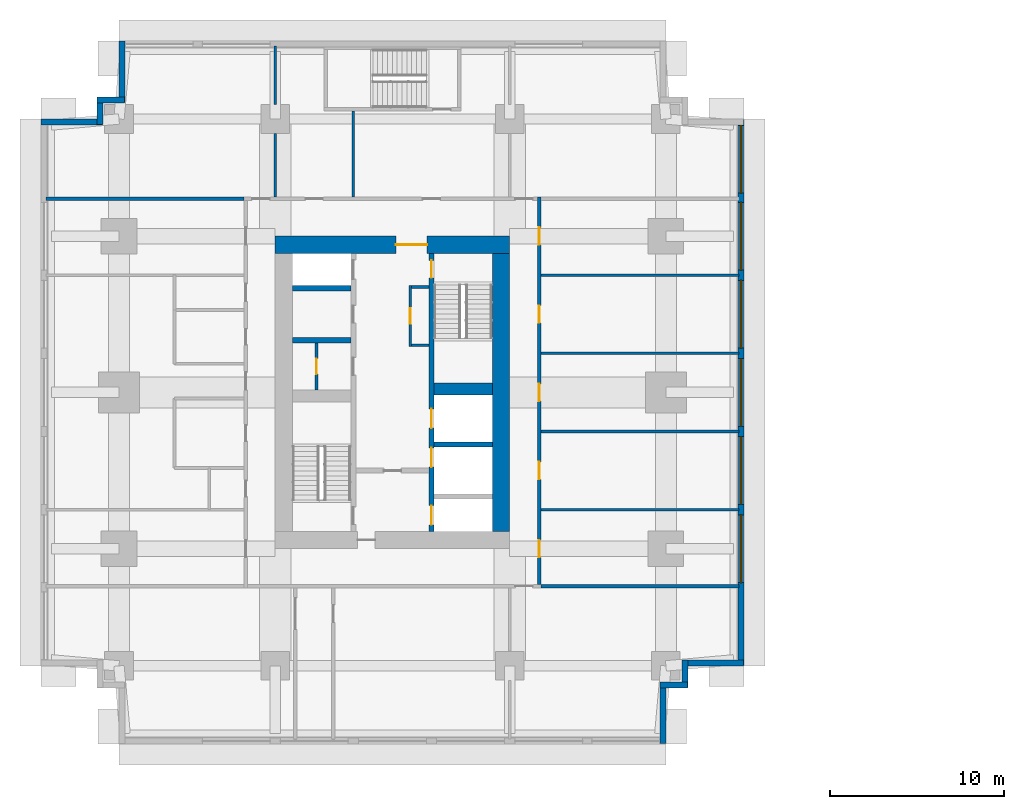
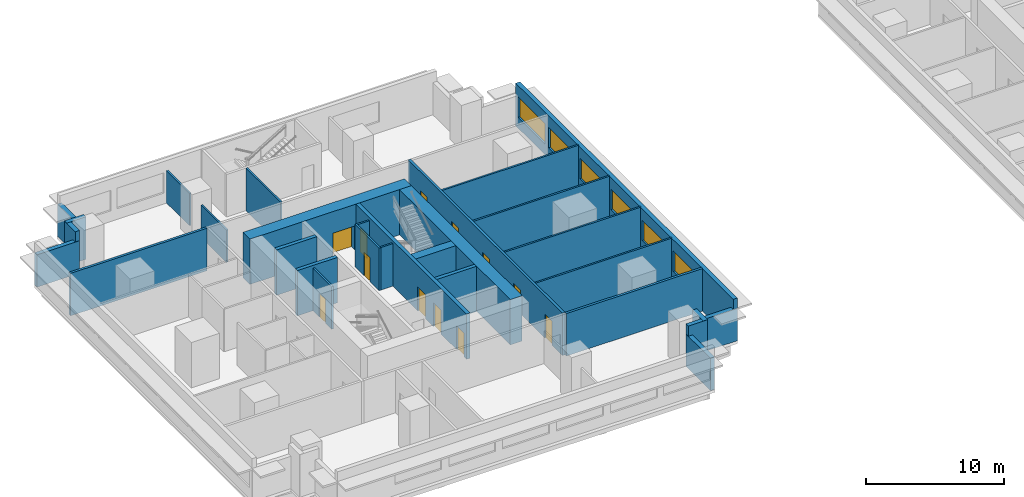
# One storey, part 4 of 11: 30 walls, 12 doors, 6 windows, 18 openings.
"""IFC4 building model written with IfcOpenShell, lengths in metres."""

import ifcopenshell
import ifcopenshell.guid

model = None  # the IFC model being written
_history = None  # IfcOwnerHistory: only IFC2X3 demands one
_inside = {}  # id of a spatial element -> (the spatial element, [elements in it])
_under = {}  # id of a project, library or spatial element -> (it, [spatial elements below it])
_declared = {}  # id of a project -> (the project, [libraries it declares])
_typed = {}  # id of a type object -> (the type object, [elements of that type])
_made_of = {}  # id of a material, layer set ... -> (it, [elements and type objects made of it])


def new_model(schema):
    """Start an empty IFC model of exactly this schema.

    Asked for "IFC4X3", IfcOpenShell would pick the latest addendum, in which some entities
    have other attributes; the version numbers below select the first issue.
    IFC2X3 requires an IfcOwnerHistory on every rooted entity: one is made here for all.
    """
    global model, _history
    if schema == "IFC4X3":
        model = ifcopenshell.file(schema_version=(4, 3, 0, 0))
    else:
        model = ifcopenshell.file(schema=schema)
    _inside.clear()
    _under.clear()
    _declared.clear()
    _typed.clear()
    _made_of.clear()
    _history = None
    if model.schema == "IFC2X3":
        org = make("IfcOrganization", Name="unknown")
        user = make(
            "IfcPersonAndOrganization",
            ThePerson=make("IfcPerson", FamilyName="unknown"),
            TheOrganization=org,
        )
        app = make(
            "IfcApplication",
            ApplicationDeveloper=org,
            Version="unknown",
            ApplicationFullName="unknown",
            ApplicationIdentifier="unknown",
        )
        _history = make(
            "IfcOwnerHistory",
            OwningUser=user,
            OwningApplication=app,
            ChangeAction="ADDED",
            CreationDate=0,
        )
    return model


def make(cls, **values):
    """One entity of the class cls with the attributes given. An attribute that is None is left unset."""
    return model.create_entity(
        cls, **{name: value for name, value in values.items() if value is not None}
    )


def rooted(cls, **values):
    """An entity with a GlobalId (a new one), such as an element, a storey or a relation."""
    return make(cls, GlobalId=ifcopenshell.guid.new(), OwnerHistory=_history, **values)


def si_unit(unit_type, name, prefix=None):
    """IfcSIUnit, for example si_unit("LENGTHUNIT", "METRE", prefix="MILLI")."""
    return make("IfcSIUnit", UnitType=unit_type, Prefix=prefix, Name=name)


def assignment(units):
    """IfcUnitAssignment: the units of a project."""
    return None if units is None else make("IfcUnitAssignment", Units=units)


def point(xyz):
    """IfcCartesianPoint."""
    return None if xyz is None else make("IfcCartesianPoint", Coordinates=xyz)


def direction(xyz):
    """IfcDirection."""
    return None if xyz is None else make("IfcDirection", DirectionRatios=xyz)


def frame(location, z_axis=None, x_axis=None):
    """IfcAxis2Placement3D, a coordinate frame: its origin and axes. An axis left out is left unset."""
    return make(
        "IfcAxis2Placement3D",
        Location=point(location),
        Axis=direction(z_axis),
        RefDirection=direction(x_axis),
    )


def frame_2d(location, x_axis=None):
    """IfcAxis2Placement2D, a coordinate frame in the plane: its origin and x axis."""
    return make(
        "IfcAxis2Placement2D", Location=point(location), RefDirection=direction(x_axis)
    )


def origin():
    """The frame at (0, 0, 0) with its axes left unset."""
    return frame((0.0, 0.0, 0.0))


def place(relative_to, where):
    """IfcLocalPlacement: puts the frame where relative to a parent placement (None: the world)."""
    return make(
        "IfcLocalPlacement", PlacementRelTo=relative_to, RelativePlacement=where
    )


def context(
    kind, dimensions, precision=None, world=None, true_north=None, identifier=None
):
    """IfcGeometricRepresentationContext, for example the 3D "Model" context."""
    return make(
        "IfcGeometricRepresentationContext",
        ContextIdentifier=identifier,
        ContextType=kind,
        CoordinateSpaceDimension=dimensions,
        Precision=precision,
        WorldCoordinateSystem=world,
        TrueNorth=true_north,
    )


def subcontext(parent, identifier, kind, view, scale=None):
    """IfcGeometricRepresentationSubContext, for example "Body" below "Model"."""
    return make(
        "IfcGeometricRepresentationSubContext",
        ContextIdentifier=identifier,
        ContextType=kind,
        ParentContext=parent,
        TargetScale=scale,
        TargetView=view,
    )


def project(units=None, contexts=None):
    """IfcProject with its units and contexts."""
    return rooted(
        "IfcProject",
        Name="project",
        RepresentationContexts=contexts,
        UnitsInContext=assignment(units),
    )


def spatial(cls, under=None, at=None, **own):
    """A site, building, storey or space (cls), placed at a placement, below another one or the project."""
    s = rooted(cls, ObjectPlacement=at, **own)
    if under is not None:
        _under.setdefault(under.id(), (under, []))[1].append(s)
    return s


def profile(cls, at=None, kind="AREA", **sizes):
    """A parametric profile (cls). Its sizes go by their IFC names, for example OverallWidth=200.0."""
    return make(cls, ProfileType=kind, Position=at, **sizes)


def rectangle(**sizes):
    """IfcRectangleProfileDef."""
    return profile("IfcRectangleProfileDef", **sizes)


def extrude(swept, where, along, depth):
    """IfcExtrudedAreaSolid: the profile swept, set in the frame where, extruded along a direction by depth."""
    return make(
        "IfcExtrudedAreaSolid",
        SweptArea=swept,
        Position=where,
        ExtrudedDirection=direction(along),
        Depth=depth,
    )


def shape(context_of_items, identifier, shape_type, items):
    """IfcShapeRepresentation: the items that make up one representation, for example the "Body"."""
    return make(
        "IfcShapeRepresentation",
        ContextOfItems=context_of_items,
        RepresentationIdentifier=identifier,
        RepresentationType=shape_type,
        Items=items,
    )


def material(Name=None, Category=None):
    """IfcMaterial."""
    return make("IfcMaterial", Name=Name, Category=Category)


def layer(
    of_material, thickness, ventilated=None, Name=None, Category=None, Priority=None
):
    """IfcMaterialLayer: one layer of a wall or slab, of a material (None: an air gap)."""
    return make(
        "IfcMaterialLayer",
        Material=of_material,
        LayerThickness=thickness,
        IsVentilated=ventilated,
        Name=Name,
        Category=Category,
        Priority=Priority,
    )


def layer_set(layers, Name=None):
    """IfcMaterialLayerSet."""
    return make("IfcMaterialLayerSet", MaterialLayers=layers, LayerSetName=Name)


def made_of(thing, what):
    """Note that an element or type object is made of a material, layer set ...; save() writes the relation."""
    if what is not None:
        _made_of.setdefault(what.id(), (what, []))[1].append(thing)
    return thing


def type_object(cls, material=None, **own):
    """A type object (cls), such as IfcWallType, which elements share."""
    return made_of(rooted(cls, **own), material)


def element(
    cls,
    number,
    at=None,
    inside=None,
    cuts=None,
    type_object=None,
    material=None,
    context=None,
    identifier="Body",
    shape_type=None,
    held_by="IfcProductDefinitionShape",
    body=None,
    shapes=None,
    **own,
):
    """One element of the class cls, such as IfcWall. Its Tag is "e" and its number.

    at: its placement. inside: the storey or other place that contains it. cuts: it is an
    opening in that element (IfcRelVoidsElement). A single representation is given by context,
    identifier, shape_type and body (its items); several are given by shapes. held_by: the class
    of the entity that holds the representations. save() writes the other relations.
    """
    e = rooted(cls, Tag="e%d" % number, ObjectPlacement=at, **own)
    if body is not None:
        shapes = [shape(context, identifier, shape_type, body)]
    if shapes is not None:
        e.Representation = make(held_by, Representations=shapes)
    if inside is not None:
        _inside.setdefault(inside.id(), (inside, []))[1].append(e)
    if cuts is not None:
        rooted(
            "IfcRelVoidsElement", RelatingBuildingElement=cuts, RelatedOpeningElement=e
        )
    if type_object is not None:
        _typed.setdefault(type_object.id(), (type_object, []))[1].append(e)
    return made_of(e, material)


def fill(opening, filler):
    """IfcRelFillsElement: the door or window that sits in an opening."""
    return rooted(
        "IfcRelFillsElement",
        RelatingOpeningElement=opening,
        RelatedBuildingElement=filler,
    )


def aggregate(whole, parts):
    """IfcRelAggregates: a whole, such as a stair, and the parts it consists of."""
    return rooted("IfcRelAggregates", RelatingObject=whole, RelatedObjects=parts)


def save(model, path):
    """Write the relations noted so far, then the file.

    IfcRelAggregates (storeys below a building ...), IfcRelContainedInSpatialStructure (elements
    in a storey), IfcRelDefinesByType, IfcRelAssociatesMaterial and IfcRelDeclares: one each for
    every whole, place, type object, material and project.
    """
    for whole, parts in _under.values():
        aggregate(whole, parts)
    for where, things in _inside.values():
        rooted(
            "IfcRelContainedInSpatialStructure",
            RelatedElements=things,
            RelatingStructure=where,
        )
    for kind, things in _typed.values():
        rooted("IfcRelDefinesByType", RelatedObjects=things, RelatingType=kind)
    for what, things in _made_of.values():
        rooted("IfcRelAssociatesMaterial", RelatedObjects=things, RelatingMaterial=what)
    for by, libraries in _declared.values():
        rooted("IfcRelDeclares", RelatingContext=by, RelatedDefinitions=libraries)
    model.write(path)


model = new_model("IFC4")

# Units and contexts
model_context = context("Model", 3, precision=1e-05, world=origin(), true_north=direction((0.0, 1.0)))
body_context = subcontext(model_context, "Body", "Model", "MODEL_VIEW")
ifc_project = project(units=[si_unit("LENGTHUNIT", "METRE"), si_unit("AREAUNIT", "SQUARE_METRE"), si_unit("VOLUMEUNIT", "CUBIC_METRE"), si_unit("PLANEANGLEUNIT", "RADIAN"), si_unit("MASSUNIT", "GRAM", prefix="KILO")], contexts=[model_context])

# Site, building, storey
site_placement = place(None, origin())
site = spatial("IfcSite", under=ifc_project, at=site_placement, CompositionType="ELEMENT")
building_placement = place(site_placement, origin())
building = spatial("IfcBuilding", under=site, at=building_placement, Name="Namib Vertical Campus", CompositionType="ELEMENT")
storey_placement = place(building_placement, frame((0.0, 0.0, 181.0)))
storey = spatial("IfcBuildingStorey", under=building, at=storey_placement, Name="L42", CompositionType="ELEMENT", Elevation=181.0)

# Wall, openings, doors
ifc_material_1 = material(Name="Concrete C60/75", Category="concrete")
ifc_layer_1 = layer(ifc_material_1, 0.300048828125)
ifc_layer_set_1 = layer_set([ifc_layer_1], Name="Concrete C60/75")
wall_type_1 = type_object("IfcWallType", Name="Core inner wall 300", PredefinedType="SHEAR", material=ifc_layer_set_1)
wall_1_placement = place(storey_placement, frame((22.5, 12.25, 0.0), z_axis=(0.0, 0.0, 1.0), x_axis=(0.0, 1.0, 0.0)))
wall_1 = element("IfcWall", 1, at=wall_1_placement, inside=storey, type_object=wall_type_1, Name="Core inner wall A L42 W2", PredefinedType="SHEAR", context=body_context, shape_type="SweptSolid", body=[
    extrude(rectangle(XDim=16.0, YDim=0.300048828125, at=frame_2d((8.0, 0.0))), origin(), (0.0, 0.0, 1.0), 4.0),
])
opening_1_placement = place(wall_1_placement, frame((14.60009765625, 0.0, 0.0)))
opening_1 = element("IfcOpeningElement", 2, at=opening_1_placement, cuts=wall_1, Name="Opening FD1", PredefinedType="OPENING", context=body_context, shape_type="SweptSolid", body=[
    extrude(rectangle(XDim=1.0, YDim=2.10009765625, at=frame_2d((0.5, 1.050048828125))), frame((0.0, 0.159912109375, 0.0), z_axis=(0.0, -1.0, 0.0), x_axis=(1.0, 0.0, 0.0)), (0.0, 0.0, 1.0), 0.320068359375),
])
opening_2_placement = place(wall_1_placement, frame((0.375, 0.0, 0.0)))
opening_2 = element("IfcOpeningElement", 3, at=opening_2_placement, cuts=wall_1, Name="Opening LD1", PredefinedType="OPENING", context=body_context, shape_type="SweptSolid", body=[
    extrude(rectangle(XDim=1.10009765625, YDim=2.10009765625, at=frame_2d((0.550048828125, 1.050048828125))), frame((0.0, 0.159912109375, 0.0), z_axis=(0.0, -1.0, 0.0), x_axis=(1.0, 0.0, 0.0)), (0.0, 0.0, 1.0), 0.320068359375),
])
opening_3_placement = place(wall_1_placement, frame((3.699951171875, 0.0, 0.0)))
opening_3 = element("IfcOpeningElement", 4, at=opening_3_placement, cuts=wall_1, Name="Opening LD1", PredefinedType="OPENING", context=body_context, shape_type="SweptSolid", body=[
    extrude(rectangle(XDim=1.10009765625, YDim=2.10009765625, at=frame_2d((0.550048828125, 1.050048828125))), frame((0.0, 0.159912109375, 0.0), z_axis=(0.0, -1.0, 0.0), x_axis=(1.0, 0.0, 0.0)), (0.0, 0.0, 1.0), 0.320068359375),
])
opening_4_placement = place(wall_1_placement, frame((5.949951171875, 0.0, 0.0)))
opening_4 = element("IfcOpeningElement", 5, at=opening_4_placement, cuts=wall_1, Name="Opening LD1", PredefinedType="OPENING", context=body_context, shape_type="SweptSolid", body=[
    extrude(rectangle(XDim=1.10009765625, YDim=2.10009765625, at=frame_2d((0.550048828125, 1.050048828125))), frame((0.0, 0.159912109375, 0.0), z_axis=(0.0, -1.0, 0.0), x_axis=(1.0, 0.0, 0.0)), (0.0, 0.0, 1.0), 0.320068359375),
])
ifc_material_2 = material(Name="Steel fire door", Category="steel")
door_type_1 = type_object("IfcDoorType", Name="Fire door 1000x2100", OperationType="SINGLE_SWING_RIGHT", PredefinedType="DOOR", material=ifc_material_2)
door_1_placement = place(opening_1_placement, frame((1.0, 0.0, 0.0), z_axis=(0.0, 0.0, 1.0), x_axis=(-1.0, 0.0, 0.0)))
door_1 = element("IfcDoor", 6, at=door_1_placement, inside=storey, type_object=door_type_1, Name="Stair door FD1 A L42 S2", OperationType="SINGLE_SWING_LEFT", OverallHeight=2.10009765625, OverallWidth=1.0, PredefinedType="DOOR", context=body_context, shape_type="SweptSolid", body=[
    extrude(rectangle(XDim=1.0, YDim=2.10009765625, at=frame_2d((0.5, 1.050048828125))), frame((0.0, 0.02490234375, 0.0), z_axis=(0.0, -1.0, 0.0), x_axis=(1.0, 0.0, 0.0)), (0.0, 0.0, 1.0), 0.050048828125),
])
fill(opening_1, door_1)
ifc_material_3 = material(Name="Stainless steel lift door", Category="steel")
door_type_2 = type_object("IfcDoorType", Name="Lift landing door 1100x2100", OperationType="DOUBLE_DOOR_SLIDING", PredefinedType="DOOR", material=ifc_material_3)
door_2_placement = place(opening_2_placement, origin())
door_2 = element("IfcDoor", 7, at=door_2_placement, inside=storey, type_object=door_type_2, Name="Lift landing door LD1 A-FL1 L42", OperationType="DOUBLE_DOOR_SLIDING", OverallHeight=2.10009765625, OverallWidth=1.10009765625, PredefinedType="DOOR", context=body_context, shape_type="SweptSolid", body=[
    extrude(rectangle(XDim=1.10009765625, YDim=2.10009765625, at=frame_2d((0.550048828125, 1.050048828125))), frame((0.0, 0.02490234375, 0.0), z_axis=(0.0, -1.0, 0.0), x_axis=(1.0, 0.0, 0.0)), (0.0, 0.0, 1.0), 0.050048828125),
])
fill(opening_2, door_2)
door_3_placement = place(opening_3_placement, origin())
door_3 = element("IfcDoor", 8, at=door_3_placement, inside=storey, type_object=door_type_2, Name="Lift landing door LD1 A-P4 L42", OperationType="DOUBLE_DOOR_SLIDING", OverallHeight=2.10009765625, OverallWidth=1.10009765625, PredefinedType="DOOR", context=body_context, shape_type="SweptSolid", body=[
    extrude(rectangle(XDim=1.10009765625, YDim=2.10009765625, at=frame_2d((0.550048828125, 1.050048828125))), frame((0.0, 0.02490234375, 0.0), z_axis=(0.0, -1.0, 0.0), x_axis=(1.0, 0.0, 0.0)), (0.0, 0.0, 1.0), 0.050048828125),
])
fill(opening_3, door_3)
door_4_placement = place(opening_4_placement, origin())
door_4 = element("IfcDoor", 9, at=door_4_placement, inside=storey, type_object=door_type_2, Name="Lift landing door LD1 A-P5 L42", OperationType="DOUBLE_DOOR_SLIDING", OverallHeight=2.10009765625, OverallWidth=1.10009765625, PredefinedType="DOOR", context=body_context, shape_type="SweptSolid", body=[
    extrude(rectangle(XDim=1.10009765625, YDim=2.10009765625, at=frame_2d((0.550048828125, 1.050048828125))), frame((0.0, 0.02490234375, 0.0), z_axis=(0.0, -1.0, 0.0), x_axis=(1.0, 0.0, 0.0)), (0.0, 0.0, 1.0), 0.050048828125),
])
fill(opening_4, door_4)

# Walls
for number, where, z_axis, x_axis, name in (
    (10, (22.64990234375, 17.25, 0.0), (0.0, 0.0, 1.0), (1.0, 0.0, 0.0), "Core inner wall A L42 W6"),
    (11, (14.5, 23.25, 0.0), (0.0, 0.0, 1.0), (1.0, 0.0, 0.0), "Core inner wall A L42 W8"),
    (12, (14.5, 26.25, 0.0), (0.0, 0.0, 1.0), (1.0, 0.0, 0.0), "Core inner wall A L42 W9"),
):
    element("IfcWall", number, at=place(storey_placement, frame(where, z_axis=z_axis, x_axis=x_axis)), inside=storey, type_object=wall_type_1, Name=name, PredefinedType="SHEAR", context=body_context, shape_type="SweptSolid", body=[
        extrude(rectangle(XDim=3.35009765625, YDim=0.300048828125, at=frame_2d((1.675048828125, 0.0))), origin(), (0.0, 0.0, 1.0), 4.0),
    ])
ifc_material_4 = material(Name="Concrete C60/75", Category="concrete")
ifc_layer_2 = layer(ifc_material_4, 0.699951171875)
ifc_layer_set_2 = layer_set([ifc_layer_2], Name="Concrete C60/75")
wall_type_2 = type_object("IfcWallType", Name="Core shear wall 700", PredefinedType="SHEAR", material=ifc_layer_set_2)
wall_2_placement = place(storey_placement, frame((22.64990234375, 20.449951171875, 0.0), z_axis=(0.0, 0.0, 1.0), x_axis=(1.0, 0.0, 0.0)))
element("IfcWall", 13, at=wall_2_placement, inside=storey, type_object=wall_type_2, Name="Core shear wall A L42 W7", PredefinedType="SHEAR", context=body_context, shape_type="SweptSolid", body=[
    extrude(rectangle(XDim=3.35009765625, YDim=0.699951171875, at=frame_2d((1.675048828125, 0.0))), origin(), (0.0, 0.0, 1.0), 4.0),
])
ifc_material_5 = material(Name="Concrete C60/75", Category="concrete")
ifc_layer_3 = layer(ifc_material_5, 1.0)
ifc_layer_set_3 = layer_set([ifc_layer_3], Name="Concrete C60/75")
wall_type_3 = type_object("IfcWallType", Name="Core wall 1000", PredefinedType="SHEAR", material=ifc_layer_set_3)
wall_3_placement = place(storey_placement, frame((26.5, 12.25, 0.0), z_axis=(0.0, 0.0, 1.0), x_axis=(0.0, 1.0, 0.0)))
element("IfcWall", 14, at=wall_3_placement, inside=storey, type_object=wall_type_3, Name="Core wall A L42 2", PredefinedType="SHEAR", context=body_context, shape_type="SweptSolid", body=[
    extrude(rectangle(XDim=16.0, YDim=1.0, at=frame_2d((8.0, 0.0))), origin(), (0.0, 0.0, 1.0), 4.0),
])

# Wall, opening, door
wall_4_placement = place(storey_placement, frame((27.0, 28.75, 0.0), z_axis=(0.0, 0.0, 1.0), x_axis=(-1.0, 0.0, 0.0)))
wall_4 = element("IfcWall", 15, at=wall_4_placement, inside=storey, type_object=wall_type_3, Name="Core wall A L42 3", PredefinedType="SHEAR", context=body_context, shape_type="SweptSolid", body=[
    extrude(rectangle(XDim=13.5, YDim=1.0, at=frame_2d((6.75, 0.0))), origin(), (0.0, 0.0, 1.0), 4.0),
])
opening_5_placement = place(wall_4_placement, frame((4.75, 0.0, 0.0)))
opening_5 = element("IfcOpeningElement", 16, at=opening_5_placement, cuts=wall_4, Name="Opening FD2", PredefinedType="OPENING", context=body_context, shape_type="SweptSolid", body=[
    extrude(rectangle(XDim=1.800048828125, YDim=2.10009765625, at=frame_2d((0.89990234375, 1.050048828125))), frame((0.0, 0.510009765625, 0.0), z_axis=(0.0, -1.0, 0.0), x_axis=(1.0, 0.0, 0.0)), (0.0, 0.0, 1.0), 1.02001953125),
])
ifc_material_6 = material(Name="Steel fire door", Category="steel")
door_type_3 = type_object("IfcDoorType", Name="Fire door double 1800x2100", OperationType="DOUBLE_DOOR_SINGLE_SWING", PredefinedType="DOOR", material=ifc_material_6)
door_5_placement = place(opening_5_placement, origin())
door_5 = element("IfcDoor", 17, at=door_5_placement, inside=storey, type_object=door_type_3, Name="Lift lobby door FD2 A L42", OperationType="DOUBLE_DOOR_SINGLE_SWING", OverallHeight=2.10009765625, OverallWidth=1.800048828125, PredefinedType="DOOR", context=body_context, shape_type="SweptSolid", body=[
    extrude(rectangle(XDim=1.800048828125, YDim=2.10009765625, at=frame_2d((0.89990234375, 1.050048828125))), frame((0.0, 0.02490234375, 0.0), z_axis=(0.0, -1.0, 0.0), x_axis=(1.0, 0.0, 0.0)), (0.0, 0.0, 1.0), 0.050048828125),
])
fill(opening_5, door_5)

# Wall, openings, doors
ifc_material_7 = material(Name="Concrete masonry", Category="masonry")
ifc_layer_4 = layer(ifc_material_7, 0.199951171875)
ifc_layer_set_4 = layer_set([ifc_layer_4], Name="Corridor wall 200")
wall_type_4 = type_object("IfcWallType", Name="Corridor wall 200", PredefinedType="SOLIDWALL", material=ifc_layer_set_4)
wall_5_placement = place(storey_placement, frame((28.699951171875, 9.199951171875, 0.0), z_axis=(0.0, 0.0, 1.0), x_axis=(0.0, 1.0, 0.0)))
wall_5 = element("IfcWall", 18, at=wall_5_placement, inside=storey, type_object=wall_type_4, Name="Corridor wall A L42 CE", PredefinedType="SOLIDWALL", context=body_context, shape_type="SweptSolid", body=[
    extrude(rectangle(XDim=22.300048828125, YDim=0.199951171875, at=frame_2d((11.14990234375, 0.0))), origin(), (0.0, 0.0, 1.0), 3.75),
])
opening_6_placement = place(wall_5_placement, frame((1.550048828125, 0.0, 0.0)))
opening_6 = element("IfcOpeningElement", 19, at=opening_6_placement, cuts=wall_5, Name="Opening CD1", PredefinedType="OPENING", context=body_context, shape_type="SweptSolid", body=[
    extrude(rectangle(XDim=1.0, YDim=2.10009765625, at=frame_2d((0.5, 1.050048828125))), frame((0.0, 0.10986328125, 0.0), z_axis=(0.0, -1.0, 0.0), x_axis=(1.0, 0.0, 0.0)), (0.0, 0.0, 1.0), 0.219970703125),
])
opening_7_placement = place(wall_5_placement, frame((6.050048828125, 0.0, 0.0)))
opening_7 = element("IfcOpeningElement", 20, at=opening_7_placement, cuts=wall_5, Name="Opening CD1", PredefinedType="OPENING", context=body_context, shape_type="SweptSolid", body=[
    extrude(rectangle(XDim=1.0, YDim=2.10009765625, at=frame_2d((0.5, 1.050048828125))), frame((0.0, 0.10986328125, 0.0), z_axis=(0.0, -1.0, 0.0), x_axis=(1.0, 0.0, 0.0)), (0.0, 0.0, 1.0), 0.219970703125),
])
opening_8_placement = place(wall_5_placement, frame((10.550048828125, 0.0, 0.0)))
opening_8 = element("IfcOpeningElement", 21, at=opening_8_placement, cuts=wall_5, Name="Opening CD1", PredefinedType="OPENING", context=body_context, shape_type="SweptSolid", body=[
    extrude(rectangle(XDim=1.0, YDim=2.10009765625, at=frame_2d((0.5, 1.050048828125))), frame((0.0, 0.10986328125, 0.0), z_axis=(0.0, -1.0, 0.0), x_axis=(1.0, 0.0, 0.0)), (0.0, 0.0, 1.0), 0.219970703125),
])
opening_9_placement = place(wall_5_placement, frame((15.050048828125, 0.0, 0.0)))
opening_9 = element("IfcOpeningElement", 22, at=opening_9_placement, cuts=wall_5, Name="Opening CD1", PredefinedType="OPENING", context=body_context, shape_type="SweptSolid", body=[
    extrude(rectangle(XDim=1.0, YDim=2.10009765625, at=frame_2d((0.5, 1.050048828125))), frame((0.0, 0.10986328125, 0.0), z_axis=(0.0, -1.0, 0.0), x_axis=(1.0, 0.0, 0.0)), (0.0, 0.0, 1.0), 0.219970703125),
])
opening_10_placement = place(wall_5_placement, frame((19.550048828125, 0.0, 0.0)))
opening_10 = element("IfcOpeningElement", 23, at=opening_10_placement, cuts=wall_5, Name="Opening CD1", PredefinedType="OPENING", context=body_context, shape_type="SweptSolid", body=[
    extrude(rectangle(XDim=1.0, YDim=2.10009765625, at=frame_2d((0.5, 1.050048828125))), frame((0.0, 0.10986328125, 0.0), z_axis=(0.0, -1.0, 0.0), x_axis=(1.0, 0.0, 0.0)), (0.0, 0.0, 1.0), 0.219970703125),
])
ifc_material_8 = material(Name="Timber fire door leaf", Category="wood")
door_type_4 = type_object("IfcDoorType", Name="Corridor door 1000x2100 20 min", OperationType="SINGLE_SWING_LEFT", PredefinedType="DOOR", material=ifc_material_8)
door_6_placement = place(opening_6_placement, frame((1.0, 0.0, 0.0), z_axis=(0.0, 0.0, 1.0), x_axis=(-1.0, 0.0, 0.0)))
door_6 = element("IfcDoor", 24, at=door_6_placement, inside=storey, type_object=door_type_4, Name="Door CD1 A42-04", OperationType="SINGLE_SWING_RIGHT", OverallHeight=2.10009765625, OverallWidth=1.0, PredefinedType="DOOR", context=body_context, shape_type="SweptSolid", body=[
    extrude(rectangle(XDim=1.0, YDim=2.10009765625, at=frame_2d((0.5, 1.050048828125))), frame((0.0, 0.02490234375, 0.0), z_axis=(0.0, -1.0, 0.0), x_axis=(1.0, 0.0, 0.0)), (0.0, 0.0, 1.0), 0.050048828125),
])
fill(opening_6, door_6)
door_7_placement = place(opening_7_placement, frame((1.0, 0.0, 0.0), z_axis=(0.0, 0.0, 1.0), x_axis=(-1.0, 0.0, 0.0)))
door_7 = element("IfcDoor", 25, at=door_7_placement, inside=storey, type_object=door_type_4, Name="Door CD1 A42-05", OperationType="SINGLE_SWING_RIGHT", OverallHeight=2.10009765625, OverallWidth=1.0, PredefinedType="DOOR", context=body_context, shape_type="SweptSolid", body=[
    extrude(rectangle(XDim=1.0, YDim=2.10009765625, at=frame_2d((0.5, 1.050048828125))), frame((0.0, 0.02490234375, 0.0), z_axis=(0.0, -1.0, 0.0), x_axis=(1.0, 0.0, 0.0)), (0.0, 0.0, 1.0), 0.050048828125),
])
fill(opening_7, door_7)
door_8_placement = place(opening_8_placement, frame((1.0, 0.0, 0.0), z_axis=(0.0, 0.0, 1.0), x_axis=(-1.0, 0.0, 0.0)))
door_8 = element("IfcDoor", 26, at=door_8_placement, inside=storey, type_object=door_type_4, Name="Door CD1 A42-06", OperationType="SINGLE_SWING_RIGHT", OverallHeight=2.10009765625, OverallWidth=1.0, PredefinedType="DOOR", context=body_context, shape_type="SweptSolid", body=[
    extrude(rectangle(XDim=1.0, YDim=2.10009765625, at=frame_2d((0.5, 1.050048828125))), frame((0.0, 0.02490234375, 0.0), z_axis=(0.0, -1.0, 0.0), x_axis=(1.0, 0.0, 0.0)), (0.0, 0.0, 1.0), 0.050048828125),
])
fill(opening_8, door_8)
door_9_placement = place(opening_9_placement, frame((1.0, 0.0, 0.0), z_axis=(0.0, 0.0, 1.0), x_axis=(-1.0, 0.0, 0.0)))
door_9 = element("IfcDoor", 27, at=door_9_placement, inside=storey, type_object=door_type_4, Name="Door CD1 A42-07", OperationType="SINGLE_SWING_RIGHT", OverallHeight=2.10009765625, OverallWidth=1.0, PredefinedType="DOOR", context=body_context, shape_type="SweptSolid", body=[
    extrude(rectangle(XDim=1.0, YDim=2.10009765625, at=frame_2d((0.5, 1.050048828125))), frame((0.0, 0.02490234375, 0.0), z_axis=(0.0, -1.0, 0.0), x_axis=(1.0, 0.0, 0.0)), (0.0, 0.0, 1.0), 0.050048828125),
])
fill(opening_9, door_9)
door_10_placement = place(opening_10_placement, frame((1.0, 0.0, 0.0), z_axis=(0.0, 0.0, 1.0), x_axis=(-1.0, 0.0, 0.0)))
door_10 = element("IfcDoor", 28, at=door_10_placement, inside=storey, type_object=door_type_4, Name="Door CD1 A42-08", OperationType="SINGLE_SWING_RIGHT", OverallHeight=2.10009765625, OverallWidth=1.0, PredefinedType="DOOR", context=body_context, shape_type="SweptSolid", body=[
    extrude(rectangle(XDim=1.0, YDim=2.10009765625, at=frame_2d((0.5, 1.050048828125))), frame((0.0, 0.02490234375, 0.0), z_axis=(0.0, -1.0, 0.0), x_axis=(1.0, 0.0, 0.0)), (0.0, 0.0, 1.0), 0.050048828125),
])
fill(opening_10, door_10)

# Walls
for number, where, z_axis, x_axis, name in (
    (29, (28.800048828125, 9.10009765625, 0.0), (0.0, 0.0, 1.0), (1.0, 0.0, 0.0), "Partition A L42 BSE"),
    (30, (0.300048828125, 31.39990234375, 0.0), (0.0, 0.0, 1.0), (1.0, 0.0, 0.0), "Partition A L42 BNW"),
):
    element("IfcWall", number, at=place(storey_placement, frame(where, z_axis=z_axis, x_axis=x_axis)), inside=storey, type_object=wall_type_4, Name=name, PredefinedType="SOLIDWALL", context=body_context, shape_type="SweptSolid", body=[
        extrude(rectangle(XDim=11.39990234375, YDim=0.199951171875, at=frame_2d((5.699951171875, 0.0))), origin(), (0.0, 0.0, 1.0), 3.75),
    ])
ifc_material_9 = material(Name="Concrete C40/50", Category="concrete")
ifc_layer_5 = layer(ifc_material_9, 0.35009765625)
ifc_layer_set_5 = layer_set([ifc_layer_5], Name="Concrete C40/50")
wall_type_5 = type_object("IfcWallType", Name="External wall 350 bush-hammered concrete", PredefinedType="STANDARD", material=ifc_layer_set_5)
wall_6_placement = place(storey_placement, frame((35.824951171875, 0.02001953125, 0.0), z_axis=(0.0, 0.0, 1.0), x_axis=(0.0, 1.0, 0.0)))
element("IfcWall", 31, at=wall_6_placement, inside=storey, type_object=wall_type_5, Name="External wall L42 F02", PredefinedType="STANDARD", context=body_context, shape_type="SweptSolid", body=[
    extrude(rectangle(XDim=3.534912109375, YDim=0.35009765625, at=frame_2d((1.767578125, 0.0))), origin(), (0.0, 0.0, 1.0), 2.85009765625),
])
for number, where, z_axis, x_axis, name in (
    (32, (35.669921875, 3.39990234375, 0.0), (0.0, 0.0, 1.0), (1.0, 0.0, 0.0), "External wall L42 F03"),
    (33, (37.10009765625, 3.2451171875, 0.0), (0.0, 0.0, 1.0), (0.0, 1.0, 0.0), "External wall L42 F04"),
):
    element("IfcWall", number, at=place(storey_placement, frame(where, z_axis=z_axis, x_axis=x_axis)), inside=storey, type_object=wall_type_5, Name=name, PredefinedType="STANDARD", context=body_context, shape_type="SweptSolid", body=[
        extrude(rectangle(XDim=1.5849609375, YDim=0.35009765625, at=frame_2d((0.79248046875, 0.0))), origin(), (0.0, 0.0, 1.0), 3.75),
    ])
wall_7_placement = place(storey_placement, frame((36.945068359375, 4.675048828125, 0.0), z_axis=(0.0, 0.0, 1.0), x_axis=(1.0, 0.0, 0.0)))
element("IfcWall", 34, at=wall_7_placement, inside=storey, type_object=wall_type_5, Name="External wall L42 F05", PredefinedType="STANDARD", context=body_context, shape_type="SweptSolid", body=[
    extrude(rectangle(XDim=3.534912109375, YDim=0.35009765625, at=frame_2d((1.767578125, 0.0))), origin(), (0.0, 0.0, 1.0), 2.85009765625),
])

# Wall, openings, windows
wall_8_placement = place(storey_placement, frame((40.324951171875, 4.52001953125, 0.0), z_axis=(0.0, 0.0, 1.0), x_axis=(0.0, 1.0, 0.0)))
wall_8 = element("IfcWall", 35, at=wall_8_placement, inside=storey, type_object=wall_type_5, Name="External wall L42 F06", PredefinedType="STANDARD", context=body_context, shape_type="SweptSolid", body=[
    extrude(rectangle(XDim=31.4599609375, YDim=0.35009765625, at=frame_2d((15.72998046875, 0.0))), origin(), (0.0, 0.0, 1.0), 3.75),
])
opening_11_placement = place(wall_8_placement, frame((4.780029296875, 0.0, 0.949951171875)))
opening_11 = element("IfcOpeningElement", 36, at=opening_11_placement, cuts=wall_8, Name="Opening W3", PredefinedType="OPENING", context=body_context, shape_type="SweptSolid", body=[
    extrude(rectangle(XDim=3.89990234375, YDim=1.800048828125, at=frame_2d((1.949951171875, 0.89990234375))), frame((0.0, 0.18505859375, 0.0), z_axis=(0.0, -1.0, 0.0), x_axis=(1.0, 0.0, 0.0)), (0.0, 0.0, 1.0), 0.3701171875),
])
opening_12_placement = place(wall_8_placement, frame((9.280029296875, 0.0, 0.949951171875)))
opening_12 = element("IfcOpeningElement", 37, at=opening_12_placement, cuts=wall_8, Name="Opening W3", PredefinedType="OPENING", context=body_context, shape_type="SweptSolid", body=[
    extrude(rectangle(XDim=3.89990234375, YDim=1.800048828125, at=frame_2d((1.949951171875, 0.89990234375))), frame((0.0, 0.18505859375, 0.0), z_axis=(0.0, -1.0, 0.0), x_axis=(1.0, 0.0, 0.0)), (0.0, 0.0, 1.0), 0.3701171875),
])
opening_13_placement = place(wall_8_placement, frame((13.780029296875, 0.0, 0.949951171875)))
opening_13 = element("IfcOpeningElement", 38, at=opening_13_placement, cuts=wall_8, Name="Opening W3", PredefinedType="OPENING", context=body_context, shape_type="SweptSolid", body=[
    extrude(rectangle(XDim=3.89990234375, YDim=1.800048828125, at=frame_2d((1.949951171875, 0.89990234375))), frame((0.0, 0.18505859375, 0.0), z_axis=(0.0, -1.0, 0.0), x_axis=(1.0, 0.0, 0.0)), (0.0, 0.0, 1.0), 0.3701171875),
])
opening_14_placement = place(wall_8_placement, frame((18.280029296875, 0.0, 0.949951171875)))
opening_14 = element("IfcOpeningElement", 39, at=opening_14_placement, cuts=wall_8, Name="Opening W3", PredefinedType="OPENING", context=body_context, shape_type="SweptSolid", body=[
    extrude(rectangle(XDim=3.89990234375, YDim=1.800048828125, at=frame_2d((1.949951171875, 0.89990234375))), frame((0.0, 0.18505859375, 0.0), z_axis=(0.0, -1.0, 0.0), x_axis=(1.0, 0.0, 0.0)), (0.0, 0.0, 1.0), 0.3701171875),
])
opening_15_placement = place(wall_8_placement, frame((22.780029296875, 0.0, 0.949951171875)))
opening_15 = element("IfcOpeningElement", 40, at=opening_15_placement, cuts=wall_8, Name="Opening W3", PredefinedType="OPENING", context=body_context, shape_type="SweptSolid", body=[
    extrude(rectangle(XDim=3.89990234375, YDim=1.800048828125, at=frame_2d((1.949951171875, 0.89990234375))), frame((0.0, 0.18505859375, 0.0), z_axis=(0.0, -1.0, 0.0), x_axis=(1.0, 0.0, 0.0)), (0.0, 0.0, 1.0), 0.3701171875),
])
opening_16_placement = place(wall_8_placement, frame((27.2099609375, 0.0, 0.949951171875)))
opening_16 = element("IfcOpeningElement", 41, at=opening_16_placement, cuts=wall_8, Name="Opening W3", PredefinedType="OPENING", context=body_context, shape_type="SweptSolid", body=[
    extrude(rectangle(XDim=3.89990234375, YDim=1.800048828125, at=frame_2d((1.949951171875, 0.89990234375))), frame((0.0, 0.18505859375, 0.0), z_axis=(0.0, -1.0, 0.0), x_axis=(1.0, 0.0, 0.0)), (0.0, 0.0, 1.0), 0.3701171875),
])
ifc_material_10 = material(Name="Dark tinted glass in black aluminium frame", Category="aluminium")
window_type = type_object("IfcWindowType", Name="Ribbon window 3900x1800", PartitioningType="SINGLE_PANEL", PredefinedType="WINDOW", material=ifc_material_10)
window_1_placement = place(opening_11_placement, origin())
window_1 = element("IfcWindow", 42, at=window_1_placement, inside=storey, type_object=window_type, Name="Window W3 L42 F06-2", OverallHeight=1.800048828125, OverallWidth=3.89990234375, PartitioningType="SINGLE_PANEL", PredefinedType="WINDOW", context=body_context, shape_type="SweptSolid", body=[
    extrude(rectangle(XDim=3.89990234375, YDim=1.800048828125, at=frame_2d((1.949951171875, 0.89990234375))), frame((0.0, 0.030029296875, 0.0), z_axis=(0.0, -1.0, 0.0), x_axis=(1.0, 0.0, 0.0)), (0.0, 0.0, 1.0), 0.06005859375),
])
fill(opening_11, window_1)
window_2_placement = place(opening_12_placement, origin())
window_2 = element("IfcWindow", 43, at=window_2_placement, inside=storey, type_object=window_type, Name="Window W3 L42 F06-3", OverallHeight=1.800048828125, OverallWidth=3.89990234375, PartitioningType="SINGLE_PANEL", PredefinedType="WINDOW", context=body_context, shape_type="SweptSolid", body=[
    extrude(rectangle(XDim=3.89990234375, YDim=1.800048828125, at=frame_2d((1.949951171875, 0.89990234375))), frame((0.0, 0.030029296875, 0.0), z_axis=(0.0, -1.0, 0.0), x_axis=(1.0, 0.0, 0.0)), (0.0, 0.0, 1.0), 0.06005859375),
])
fill(opening_12, window_2)
window_3_placement = place(opening_13_placement, origin())
window_3 = element("IfcWindow", 44, at=window_3_placement, inside=storey, type_object=window_type, Name="Window W3 L42 F06-4", OverallHeight=1.800048828125, OverallWidth=3.89990234375, PartitioningType="SINGLE_PANEL", PredefinedType="WINDOW", context=body_context, shape_type="SweptSolid", body=[
    extrude(rectangle(XDim=3.89990234375, YDim=1.800048828125, at=frame_2d((1.949951171875, 0.89990234375))), frame((0.0, 0.030029296875, 0.0), z_axis=(0.0, -1.0, 0.0), x_axis=(1.0, 0.0, 0.0)), (0.0, 0.0, 1.0), 0.06005859375),
])
fill(opening_13, window_3)
window_4_placement = place(opening_14_placement, origin())
window_4 = element("IfcWindow", 45, at=window_4_placement, inside=storey, type_object=window_type, Name="Window W3 L42 F06-5", OverallHeight=1.800048828125, OverallWidth=3.89990234375, PartitioningType="SINGLE_PANEL", PredefinedType="WINDOW", context=body_context, shape_type="SweptSolid", body=[
    extrude(rectangle(XDim=3.89990234375, YDim=1.800048828125, at=frame_2d((1.949951171875, 0.89990234375))), frame((0.0, 0.030029296875, 0.0), z_axis=(0.0, -1.0, 0.0), x_axis=(1.0, 0.0, 0.0)), (0.0, 0.0, 1.0), 0.06005859375),
])
fill(opening_14, window_4)
window_5_placement = place(opening_15_placement, origin())
window_5 = element("IfcWindow", 46, at=window_5_placement, inside=storey, type_object=window_type, Name="Window W3 L42 F06-6", OverallHeight=1.800048828125, OverallWidth=3.89990234375, PartitioningType="SINGLE_PANEL", PredefinedType="WINDOW", context=body_context, shape_type="SweptSolid", body=[
    extrude(rectangle(XDim=3.89990234375, YDim=1.800048828125, at=frame_2d((1.949951171875, 0.89990234375))), frame((0.0, 0.030029296875, 0.0), z_axis=(0.0, -1.0, 0.0), x_axis=(1.0, 0.0, 0.0)), (0.0, 0.0, 1.0), 0.06005859375),
])
fill(opening_15, window_5)
window_6_placement = place(opening_16_placement, origin())
window_6 = element("IfcWindow", 47, at=window_6_placement, inside=storey, type_object=window_type, Name="Window W3 L42 F06-7", OverallHeight=1.800048828125, OverallWidth=3.89990234375, PartitioningType="SINGLE_PANEL", PredefinedType="WINDOW", context=body_context, shape_type="SweptSolid", body=[
    extrude(rectangle(XDim=3.89990234375, YDim=1.800048828125, at=frame_2d((1.949951171875, 0.89990234375))), frame((0.0, 0.030029296875, 0.0), z_axis=(0.0, -1.0, 0.0), x_axis=(1.0, 0.0, 0.0)), (0.0, 0.0, 1.0), 0.06005859375),
])
fill(opening_16, window_6)

# Walls
wall_9_placement = place(storey_placement, frame((4.675048828125, 40.47998046875, 0.0), z_axis=(0.0, 0.0, 1.0), x_axis=(0.0, -1.0, 0.0)))
element("IfcWall", 48, at=wall_9_placement, inside=storey, type_object=wall_type_5, Name="External wall L42 F12", PredefinedType="STANDARD", context=body_context, shape_type="SweptSolid", body=[
    extrude(rectangle(XDim=3.534912109375, YDim=0.35009765625, at=frame_2d((1.767578125, 0.0))), origin(), (0.0, 0.0, 1.0), 2.85009765625),
])
for number, where, z_axis, x_axis, name in (
    (49, (4.830078125, 37.10009765625, 0.0), (0.0, 0.0, 1.0), (-1.0, 0.0, 0.0), "External wall L42 F13"),
    (50, (3.39990234375, 37.2548828125, 0.0), (0.0, 0.0, 1.0), (0.0, -1.0, 0.0), "External wall L42 F14"),
):
    element("IfcWall", number, at=place(storey_placement, frame(where, z_axis=z_axis, x_axis=x_axis)), inside=storey, type_object=wall_type_5, Name=name, PredefinedType="STANDARD", context=body_context, shape_type="SweptSolid", body=[
        extrude(rectangle(XDim=1.5849609375, YDim=0.35009765625, at=frame_2d((0.79248046875, 0.0))), origin(), (0.0, 0.0, 1.0), 3.75),
    ])
wall_10_placement = place(storey_placement, frame((3.554931640625, 35.824951171875, 0.0), z_axis=(0.0, 0.0, 1.0), x_axis=(-1.0, 0.0, 0.0)))
element("IfcWall", 51, at=wall_10_placement, inside=storey, type_object=wall_type_5, Name="External wall L42 F15", PredefinedType="STANDARD", context=body_context, shape_type="SweptSolid", body=[
    extrude(rectangle(XDim=3.534912109375, YDim=0.35009765625, at=frame_2d((1.767578125, 0.0))), origin(), (0.0, 0.0, 1.0), 2.85009765625),
])

# Wall, opening, door
ifc_material_11 = material(Name="Gypsum board on steel studs", Category="steel")
ifc_layer_6 = layer(ifc_material_11, 0.14990234375)
ifc_layer_set_6 = layer_set([ifc_layer_6], Name="Gypsum board on steel studs")
wall_type_6 = type_object("IfcWallType", Name="Partition 150", PredefinedType="PARTITIONING", material=ifc_layer_set_6)
wall_11_placement = place(storey_placement, frame((21.27490234375, 22.89990234375, 0.0), z_axis=(0.0, 0.0, 1.0), x_axis=(0.0, 1.0, 0.0)))
wall_11 = element("IfcWall", 52, at=wall_11_placement, inside=storey, type_object=wall_type_6, Name="Partition A L42 Staff pantry front", PredefinedType="PARTITIONING", context=body_context, shape_type="SweptSolid", body=[
    extrude(rectangle(XDim=3.5, YDim=0.14990234375, at=frame_2d((1.75, 0.0))), origin(), (0.0, 0.0, 1.0), 3.75),
])
opening_17_placement = place(wall_11_placement, frame((1.300048828125, 0.0, 0.0)))
opening_17 = element("IfcOpeningElement", 53, at=opening_17_placement, cuts=wall_11, Name="Opening D3", PredefinedType="OPENING", context=body_context, shape_type="SweptSolid", body=[
    extrude(rectangle(XDim=0.89990234375, YDim=2.10009765625, at=frame_2d((0.449951171875, 1.050048828125))), frame((0.0, 0.0849609375, 0.0), z_axis=(0.0, -1.0, 0.0), x_axis=(1.0, 0.0, 0.0)), (0.0, 0.0, 1.0), 0.169921875),
])
ifc_material_12 = material(Name="Timber door leaf", Category="wood")
door_type_5 = type_object("IfcDoorType", Name="Toilet door 900x2100", OperationType="SINGLE_SWING_LEFT", PredefinedType="DOOR", material=ifc_material_12)
door_11_placement = place(opening_17_placement, frame((0.89990234375, 0.0, 0.0), z_axis=(0.0, 0.0, 1.0), x_axis=(-1.0, 0.0, 0.0)))
door_11 = element("IfcDoor", 54, at=door_11_placement, inside=storey, type_object=door_type_5, Name="Door D3 Staff pantry A L42", OperationType="SINGLE_SWING_RIGHT", OverallHeight=2.10009765625, OverallWidth=0.89990234375, PredefinedType="DOOR", context=body_context, shape_type="SweptSolid", body=[
    extrude(rectangle(XDim=0.89990234375, YDim=2.10009765625, at=frame_2d((0.449951171875, 1.050048828125))), frame((0.0, 0.02490234375, 0.0), z_axis=(0.0, -1.0, 0.0), x_axis=(1.0, 0.0, 0.0)), (0.0, 0.0, 1.0), 0.050048828125),
])
fill(opening_17, door_11)

# Walls
for number, where, z_axis, x_axis, name in (
    (55, (21.35009765625, 22.97509765625, 0.0), (0.0, 0.0, 1.0), (1.0, 0.0, 0.0), "Partition A L42 Staff pantry end 1"),
    (56, (21.35009765625, 26.324951171875, 0.0), (0.0, 0.0, 1.0), (1.0, 0.0, 0.0), "Partition A L42 Staff pantry end 2"),
):
    element("IfcWall", number, at=place(storey_placement, frame(where, z_axis=z_axis, x_axis=x_axis)), inside=storey, type_object=wall_type_6, Name=name, PredefinedType="PARTITIONING", context=body_context, shape_type="SweptSolid", body=[
        extrude(rectangle(XDim=1.0, YDim=0.14990234375, at=frame_2d((0.5, 0.0))), origin(), (0.0, 0.0, 1.0), 3.75),
    ])

# Wall, opening, door
wall_12_placement = place(storey_placement, frame((15.875, 20.39990234375, 0.0), z_axis=(0.0, 0.0, 1.0), x_axis=(0.0, 1.0, 0.0)))
wall_12 = element("IfcWall", 57, at=wall_12_placement, inside=storey, type_object=wall_type_6, Name="Partition A L42 Store P1 back", PredefinedType="PARTITIONING", context=body_context, shape_type="SweptSolid", body=[
    extrude(rectangle(XDim=2.7001953125, YDim=0.14990234375, at=frame_2d((1.35009765625, 0.0))), origin(), (0.0, 0.0, 1.0), 3.75),
])
opening_18_placement = place(wall_12_placement, frame((0.89990234375, 0.0, 0.0)))
opening_18 = element("IfcOpeningElement", 58, at=opening_18_placement, cuts=wall_12, Name="Opening D3", PredefinedType="OPENING", context=body_context, shape_type="SweptSolid", body=[
    extrude(rectangle(XDim=0.89990234375, YDim=2.10009765625, at=frame_2d((0.449951171875, 1.050048828125))), frame((0.0, 0.0849609375, 0.0), z_axis=(0.0, -1.0, 0.0), x_axis=(1.0, 0.0, 0.0)), (0.0, 0.0, 1.0), 0.169921875),
])
door_12_placement = place(opening_18_placement, origin())
door_12 = element("IfcDoor", 59, at=door_12_placement, inside=storey, type_object=door_type_5, Name="Door D3 Store A L42 P1", OperationType="SINGLE_SWING_LEFT", OverallHeight=2.10009765625, OverallWidth=0.89990234375, PredefinedType="DOOR", context=body_context, shape_type="SweptSolid", body=[
    extrude(rectangle(XDim=0.89990234375, YDim=2.10009765625, at=frame_2d((0.449951171875, 1.050048828125))), frame((0.0, 0.02490234375, 0.0), z_axis=(0.0, -1.0, 0.0), x_axis=(1.0, 0.0, 0.0)), (0.0, 0.0, 1.0), 0.050048828125),
])
fill(opening_18, door_12)

# Walls
wall_13_placement = place(storey_placement, frame((13.5, 31.5, 0.0), z_axis=(0.0, 0.0, 1.0), x_axis=(0.0, 1.0, 0.0)))
element("IfcWall", 60, at=wall_13_placement, inside=storey, type_object=wall_type_6, Name="Partition A L42 PN1", PredefinedType="PARTITIONING", context=body_context, shape_type="SweptSolid", body=[
    extrude(rectangle(XDim=3.655029296875, YDim=0.14990234375, at=frame_2d((1.82763671875, 0.0))), origin(), (0.0, 0.0, 1.0), 2.85009765625),
])
wall_14_placement = place(storey_placement, frame((13.5, 36.844970703125, 0.0), z_axis=(0.0, 0.0, 1.0), x_axis=(0.0, 1.0, 0.0)))
element("IfcWall", 61, at=wall_14_placement, inside=storey, type_object=wall_type_6, Name="Partition A L42 PN1", PredefinedType="PARTITIONING", context=body_context, shape_type="SweptSolid", body=[
    extrude(rectangle(XDim=3.35498046875, YDim=0.14990234375, at=frame_2d((1.677490234375, 0.0))), origin(), (0.0, 0.0, 1.0), 2.85009765625),
])
wall_15_placement = place(storey_placement, frame((18.0, 31.5, 0.0), z_axis=(0.0, 0.0, 1.0), x_axis=(0.0, 1.0, 0.0)))
element("IfcWall", 62, at=wall_15_placement, inside=storey, type_object=wall_type_6, Name="Partition A L42 PN2", PredefinedType="PARTITIONING", context=body_context, shape_type="SweptSolid", body=[
    extrude(rectangle(XDim=4.949951171875, YDim=0.14990234375, at=frame_2d((2.47509765625, 0.0))), origin(), (0.0, 0.0, 1.0), 3.75),
])
for number, where, z_axis, x_axis, name in (
    (63, (28.800048828125, 13.5, 0.0), (0.0, 0.0, 1.0), (1.0, 0.0, 0.0), "Partition A L42 PE1"),
    (64, (28.800048828125, 18.0, 0.0), (0.0, 0.0, 1.0), (1.0, 0.0, 0.0), "Partition A L42 PE2"),
    (65, (28.800048828125, 22.5, 0.0), (0.0, 0.0, 1.0), (1.0, 0.0, 0.0), "Partition A L42 PE3"),
    (66, (28.800048828125, 27.0, 0.0), (0.0, 0.0, 1.0), (1.0, 0.0, 0.0), "Partition A L42 PE4"),
):
    element("IfcWall", number, at=place(storey_placement, frame(where, z_axis=z_axis, x_axis=x_axis)), inside=storey, type_object=wall_type_6, Name=name, PredefinedType="PARTITIONING", context=body_context, shape_type="SweptSolid", body=[
        extrude(rectangle(XDim=11.39990234375, YDim=0.14990234375, at=frame_2d((5.699951171875, 0.0))), origin(), (0.0, 0.0, 1.0), 3.75),
    ])

save(model, "model.ifc")
